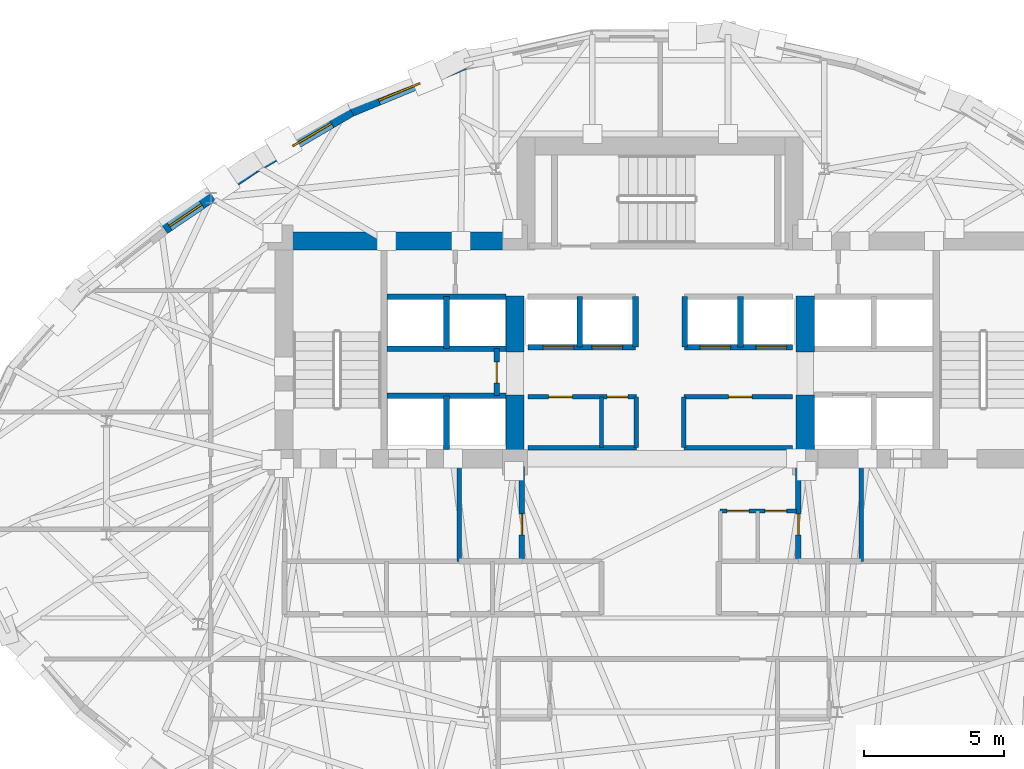
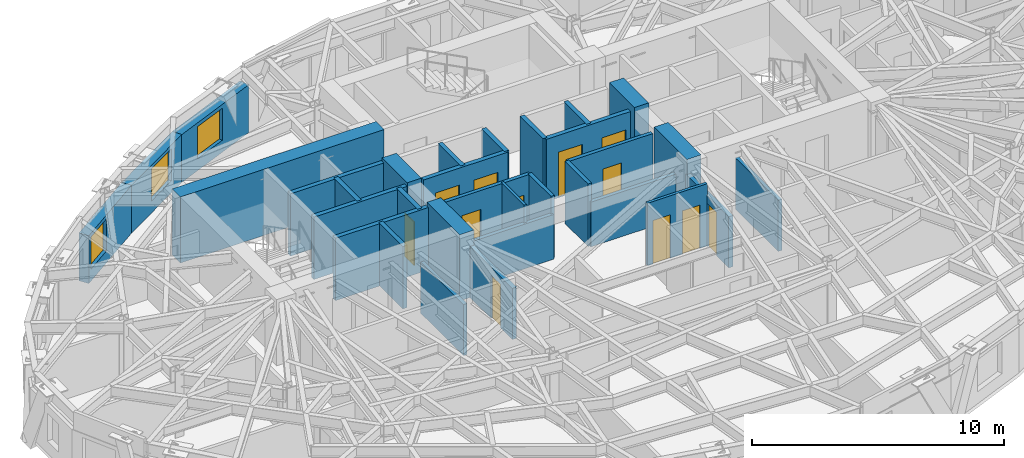
# One storey, part 7 of 14: 32 walls, 12 doors, 3 windows, 15 openings.
"""IFC4 building model written with IfcOpenShell, lengths in metres."""

import ifcopenshell
import ifcopenshell.guid

model = None  # the IFC model being written
_history = None  # IfcOwnerHistory: only IFC2X3 demands one
_inside = {}  # id of a spatial element -> (the spatial element, [elements in it])
_under = {}  # id of a project, library or spatial element -> (it, [spatial elements below it])
_declared = {}  # id of a project -> (the project, [libraries it declares])
_typed = {}  # id of a type object -> (the type object, [elements of that type])
_made_of = {}  # id of a material, layer set ... -> (it, [elements and type objects made of it])


def new_model(schema):
    """Start an empty IFC model of exactly this schema.

    Asked for "IFC4X3", IfcOpenShell would pick the latest addendum, in which some entities
    have other attributes; the version numbers below select the first issue.
    IFC2X3 requires an IfcOwnerHistory on every rooted entity: one is made here for all.
    """
    global model, _history
    if schema == "IFC4X3":
        model = ifcopenshell.file(schema_version=(4, 3, 0, 0))
    else:
        model = ifcopenshell.file(schema=schema)
    _inside.clear()
    _under.clear()
    _declared.clear()
    _typed.clear()
    _made_of.clear()
    _history = None
    if model.schema == "IFC2X3":
        org = make("IfcOrganization", Name="unknown")
        user = make(
            "IfcPersonAndOrganization",
            ThePerson=make("IfcPerson", FamilyName="unknown"),
            TheOrganization=org,
        )
        app = make(
            "IfcApplication",
            ApplicationDeveloper=org,
            Version="unknown",
            ApplicationFullName="unknown",
            ApplicationIdentifier="unknown",
        )
        _history = make(
            "IfcOwnerHistory",
            OwningUser=user,
            OwningApplication=app,
            ChangeAction="ADDED",
            CreationDate=0,
        )
    return model


def make(cls, **values):
    """One entity of the class cls with the attributes given. An attribute that is None is left unset."""
    return model.create_entity(
        cls, **{name: value for name, value in values.items() if value is not None}
    )


def rooted(cls, **values):
    """An entity with a GlobalId (a new one), such as an element, a storey or a relation."""
    return make(cls, GlobalId=ifcopenshell.guid.new(), OwnerHistory=_history, **values)


def si_unit(unit_type, name, prefix=None):
    """IfcSIUnit, for example si_unit("LENGTHUNIT", "METRE", prefix="MILLI")."""
    return make("IfcSIUnit", UnitType=unit_type, Prefix=prefix, Name=name)


def assignment(units):
    """IfcUnitAssignment: the units of a project."""
    return None if units is None else make("IfcUnitAssignment", Units=units)


def point(xyz):
    """IfcCartesianPoint."""
    return None if xyz is None else make("IfcCartesianPoint", Coordinates=xyz)


def direction(xyz):
    """IfcDirection."""
    return None if xyz is None else make("IfcDirection", DirectionRatios=xyz)


def frame(location, z_axis=None, x_axis=None):
    """IfcAxis2Placement3D, a coordinate frame: its origin and axes. An axis left out is left unset."""
    return make(
        "IfcAxis2Placement3D",
        Location=point(location),
        Axis=direction(z_axis),
        RefDirection=direction(x_axis),
    )


def frame_2d(location, x_axis=None):
    """IfcAxis2Placement2D, a coordinate frame in the plane: its origin and x axis."""
    return make(
        "IfcAxis2Placement2D", Location=point(location), RefDirection=direction(x_axis)
    )


def origin():
    """The frame at (0, 0, 0) with its axes left unset."""
    return frame((0.0, 0.0, 0.0))


def place(relative_to, where):
    """IfcLocalPlacement: puts the frame where relative to a parent placement (None: the world)."""
    return make(
        "IfcLocalPlacement", PlacementRelTo=relative_to, RelativePlacement=where
    )


def context(
    kind, dimensions, precision=None, world=None, true_north=None, identifier=None
):
    """IfcGeometricRepresentationContext, for example the 3D "Model" context."""
    return make(
        "IfcGeometricRepresentationContext",
        ContextIdentifier=identifier,
        ContextType=kind,
        CoordinateSpaceDimension=dimensions,
        Precision=precision,
        WorldCoordinateSystem=world,
        TrueNorth=true_north,
    )


def subcontext(parent, identifier, kind, view, scale=None):
    """IfcGeometricRepresentationSubContext, for example "Body" below "Model"."""
    return make(
        "IfcGeometricRepresentationSubContext",
        ContextIdentifier=identifier,
        ContextType=kind,
        ParentContext=parent,
        TargetScale=scale,
        TargetView=view,
    )


def project(units=None, contexts=None):
    """IfcProject with its units and contexts."""
    return rooted(
        "IfcProject",
        Name="project",
        RepresentationContexts=contexts,
        UnitsInContext=assignment(units),
    )


def spatial(cls, under=None, at=None, **own):
    """A site, building, storey or space (cls), placed at a placement, below another one or the project."""
    s = rooted(cls, ObjectPlacement=at, **own)
    if under is not None:
        _under.setdefault(under.id(), (under, []))[1].append(s)
    return s


def profile(cls, at=None, kind="AREA", **sizes):
    """A parametric profile (cls). Its sizes go by their IFC names, for example OverallWidth=200.0."""
    return make(cls, ProfileType=kind, Position=at, **sizes)


def rectangle(**sizes):
    """IfcRectangleProfileDef."""
    return profile("IfcRectangleProfileDef", **sizes)


def extrude(swept, where, along, depth):
    """IfcExtrudedAreaSolid: the profile swept, set in the frame where, extruded along a direction by depth."""
    return make(
        "IfcExtrudedAreaSolid",
        SweptArea=swept,
        Position=where,
        ExtrudedDirection=direction(along),
        Depth=depth,
    )


def shape(context_of_items, identifier, shape_type, items):
    """IfcShapeRepresentation: the items that make up one representation, for example the "Body"."""
    return make(
        "IfcShapeRepresentation",
        ContextOfItems=context_of_items,
        RepresentationIdentifier=identifier,
        RepresentationType=shape_type,
        Items=items,
    )


def material(Name=None, Category=None):
    """IfcMaterial."""
    return make("IfcMaterial", Name=Name, Category=Category)


def layer(
    of_material, thickness, ventilated=None, Name=None, Category=None, Priority=None
):
    """IfcMaterialLayer: one layer of a wall or slab, of a material (None: an air gap)."""
    return make(
        "IfcMaterialLayer",
        Material=of_material,
        LayerThickness=thickness,
        IsVentilated=ventilated,
        Name=Name,
        Category=Category,
        Priority=Priority,
    )


def layer_set(layers, Name=None):
    """IfcMaterialLayerSet."""
    return make("IfcMaterialLayerSet", MaterialLayers=layers, LayerSetName=Name)


def made_of(thing, what):
    """Note that an element or type object is made of a material, layer set ...; save() writes the relation."""
    if what is not None:
        _made_of.setdefault(what.id(), (what, []))[1].append(thing)
    return thing


def type_object(cls, material=None, **own):
    """A type object (cls), such as IfcWallType, which elements share."""
    return made_of(rooted(cls, **own), material)


def element(
    cls,
    number,
    at=None,
    inside=None,
    cuts=None,
    type_object=None,
    material=None,
    context=None,
    identifier="Body",
    shape_type=None,
    held_by="IfcProductDefinitionShape",
    body=None,
    shapes=None,
    **own,
):
    """One element of the class cls, such as IfcWall. Its Tag is "e" and its number.

    at: its placement. inside: the storey or other place that contains it. cuts: it is an
    opening in that element (IfcRelVoidsElement). A single representation is given by context,
    identifier, shape_type and body (its items); several are given by shapes. held_by: the class
    of the entity that holds the representations. save() writes the other relations.
    """
    e = rooted(cls, Tag="e%d" % number, ObjectPlacement=at, **own)
    if body is not None:
        shapes = [shape(context, identifier, shape_type, body)]
    if shapes is not None:
        e.Representation = make(held_by, Representations=shapes)
    if inside is not None:
        _inside.setdefault(inside.id(), (inside, []))[1].append(e)
    if cuts is not None:
        rooted(
            "IfcRelVoidsElement", RelatingBuildingElement=cuts, RelatedOpeningElement=e
        )
    if type_object is not None:
        _typed.setdefault(type_object.id(), (type_object, []))[1].append(e)
    return made_of(e, material)


def fill(opening, filler):
    """IfcRelFillsElement: the door or window that sits in an opening."""
    return rooted(
        "IfcRelFillsElement",
        RelatingOpeningElement=opening,
        RelatedBuildingElement=filler,
    )


def aggregate(whole, parts):
    """IfcRelAggregates: a whole, such as a stair, and the parts it consists of."""
    return rooted("IfcRelAggregates", RelatingObject=whole, RelatedObjects=parts)


def save(model, path):
    """Write the relations noted so far, then the file.

    IfcRelAggregates (storeys below a building ...), IfcRelContainedInSpatialStructure (elements
    in a storey), IfcRelDefinesByType, IfcRelAssociatesMaterial and IfcRelDeclares: one each for
    every whole, place, type object, material and project.
    """
    for whole, parts in _under.values():
        aggregate(whole, parts)
    for where, things in _inside.values():
        rooted(
            "IfcRelContainedInSpatialStructure",
            RelatedElements=things,
            RelatingStructure=where,
        )
    for kind, things in _typed.values():
        rooted("IfcRelDefinesByType", RelatedObjects=things, RelatingType=kind)
    for what, things in _made_of.values():
        rooted("IfcRelAssociatesMaterial", RelatedObjects=things, RelatingMaterial=what)
    for by, libraries in _declared.values():
        rooted("IfcRelDeclares", RelatingContext=by, RelatedDefinitions=libraries)
    model.write(path)


model = new_model("IFC4")

# Units and contexts
model_context = context("Model", 3, precision=1e-05, world=origin(), true_north=direction((0.0, 1.0)))
body_context = subcontext(model_context, "Body", "Model", "MODEL_VIEW")
ifc_project = project(units=[si_unit("LENGTHUNIT", "METRE"), si_unit("AREAUNIT", "SQUARE_METRE"), si_unit("VOLUMEUNIT", "CUBIC_METRE"), si_unit("PLANEANGLEUNIT", "RADIAN"), si_unit("MASSUNIT", "GRAM", prefix="KILO")], contexts=[model_context])

# Site, building, storey
site_placement = place(None, origin())
site = spatial("IfcSite", under=ifc_project, at=site_placement, CompositionType="ELEMENT")
building_placement = place(site_placement, origin())
building = spatial("IfcBuilding", under=site, at=building_placement, Name="Keldmark Tower", CompositionType="ELEMENT")
storey_placement = place(building_placement, frame((0.0, 0.0, 185.39990234375)))
storey = spatial("IfcBuildingStorey", under=building, at=storey_placement, Name="L51", CompositionType="ELEMENT", Elevation=185.39990234375)

# Wall, openings, doors
ifc_material_1 = material(Name="Acoustic Gypsum Board Interior Partition", Category="gypsum")
ifc_layer_1 = layer(ifc_material_1, 0.1298828125)
ifc_layer_set_1 = layer_set([ifc_layer_1], Name="Acoustic Gypsum Board Interior Partition")
wall_type_1 = type_object("IfcWallType", Name="Interior Partition 130 mm", PredefinedType="PARTITIONING", material=ifc_layer_set_1)
wall_1_placement = place(storey_placement, frame((2.14990234375, -0.35009765625, 0.0), z_axis=(0.0, 0.0, 1.0), x_axis=(1.0, 0.0, 0.0)))
wall_1 = element("IfcWall", 1, at=wall_1_placement, inside=storey, type_object=wall_type_1, Name="L51 Interior Partition 130 mm CSC-E-N", PredefinedType="PARTITIONING", context=body_context, shape_type="SweptSolid", body=[
    extrude(rectangle(XDim=2.72998046875, YDim=0.1298828125, at=frame_2d((1.364990234375, 0.0))), origin(), (0.0, 0.0, 1.0), 3.02001953125),
])
opening_1_placement = place(wall_1_placement, frame((0.25, 0.0, 0.0)))
opening_1 = element("IfcOpeningElement", 2, at=opening_1_placement, cuts=wall_1, Name="Opening D-CL078", PredefinedType="OPENING", context=body_context, shape_type="SweptSolid", body=[
    extrude(rectangle(XDim=0.780029296875, YDim=2.10009765625, at=frame_2d((0.39013671875, 1.050048828125))), frame((0.0, 0.074951171875, 0.0), z_axis=(0.0, -1.0, 0.0), x_axis=(1.0, 0.0, 0.0)), (0.0, 0.0, 1.0), 0.14990234375),
])
opening_2_placement = place(wall_1_placement, frame((1.60009765625, 0.0, 0.0)))
opening_2 = element("IfcOpeningElement", 3, at=opening_2_placement, cuts=wall_1, Name="Opening D-CL078", PredefinedType="OPENING", context=body_context, shape_type="SweptSolid", body=[
    extrude(rectangle(XDim=0.780029296875, YDim=2.10009765625, at=frame_2d((0.39013671875, 1.050048828125))), frame((0.0, 0.074951171875, 0.0), z_axis=(0.0, -1.0, 0.0), x_axis=(1.0, 0.0, 0.0)), (0.0, 0.0, 1.0), 0.14990234375),
])
ifc_material_2 = material(Name="Flush Utility Closet Timber Door", Category="wood")
door_type_1 = type_object("IfcDoorType", Name="Closet Door 780x2100", OperationType="NOTDEFINED", PredefinedType="DOOR", material=ifc_material_2)
door_1_placement = place(opening_1_placement, origin())
door_1 = element("IfcDoor", 4, at=door_1_placement, inside=storey, type_object=door_type_1, Name="L51 Closet Door 780x2100 D-CSCE1-L51", OperationType="SINGLE_SWING_LEFT", OverallHeight=2.10009765625, OverallWidth=0.780029296875, PredefinedType="DOOR", context=body_context, shape_type="SweptSolid", body=[
    extrude(rectangle(XDim=0.780029296875, YDim=2.10009765625, at=frame_2d((0.39013671875, 1.050048828125))), frame((0.0, 0.02490234375, 0.0), z_axis=(0.0, -1.0, 0.0), x_axis=(1.0, 0.0, 0.0)), (0.0, 0.0, 1.0), 0.050048828125),
])
fill(opening_1, door_1)
door_2_placement = place(opening_2_placement, origin())
door_2 = element("IfcDoor", 5, at=door_2_placement, inside=storey, type_object=door_type_1, Name="L51 Closet Door 780x2100 D-CSCE2-L51", OperationType="SINGLE_SWING_RIGHT", OverallHeight=2.10009765625, OverallWidth=0.780029296875, PredefinedType="DOOR", context=body_context, shape_type="SweptSolid", body=[
    extrude(rectangle(XDim=0.780029296875, YDim=2.10009765625, at=frame_2d((0.39013671875, 1.050048828125))), frame((0.0, 0.02490234375, 0.0), z_axis=(0.0, -1.0, 0.0), x_axis=(1.0, 0.0, 0.0)), (0.0, 0.0, 1.0), 0.050048828125),
])
fill(opening_2, door_2)

# Walls
wall_2_placement = place(storey_placement, frame((-2.10009765625, 1.919921875, 0.0), z_axis=(0.0, 0.0, 1.0), x_axis=(0.0, 1.0, 0.0)))
element("IfcWall", 6, at=wall_2_placement, inside=storey, type_object=wall_type_1, Name="L51 Interior Partition 130 mm REC-LW-M", PredefinedType="PARTITIONING", context=body_context, shape_type="SweptSolid", body=[
    extrude(rectangle(XDim=1.820068359375, YDim=0.1298828125, at=frame_2d((0.91015625, 0.0))), origin(), (0.0, 0.0, 1.0), 3.02001953125),
])
ifc_material_3 = material(Name="Type X Fire-Rated Gypsum Partition Assembly", Category="gypsum")
ifc_layer_2 = layer(ifc_material_3, 0.1650390625)
ifc_layer_set_2 = layer_set([ifc_layer_2], Name="Type X Fire-Rated Gypsum Partition Assembly")
wall_type_2 = type_object("IfcWallType", Name="Rated Partition 165 mm", PredefinedType="PARTITIONING", material=ifc_layer_set_2)
for number, where, z_axis, x_axis, name in (
    (7, (-7.199951171875, -2.14990234375, 0.0), (0.0, 0.0, 1.0), (0.0, 1.0, 0.0), "L51 Rated Partition 165 mm FSAE-W-E"),
    (8, (7.199951171875, -2.14990234375, 0.0), (0.0, 0.0, 1.0), (0.0, 1.0, 0.0), "L51 Rated Partition 165 mm FSAE-E-W"),
):
    element("IfcWall", number, at=place(storey_placement, frame(where, z_axis=z_axis, x_axis=x_axis)), inside=storey, type_object=wall_type_2, Name=name, PredefinedType="PARTITIONING", context=body_context, shape_type="SweptSolid", body=[
        extrude(rectangle(XDim=3.39990234375, YDim=0.1650390625, at=frame_2d((1.699951171875, 0.0))), origin(), (0.0, 0.0, 1.0), 2.47314453125),
    ])
wall_3_placement = place(storey_placement, frame((-4.739990234375, 1.919921875, 0.0), z_axis=(0.0, 0.0, 1.0), x_axis=(1.0, 0.0, 0.0)))
element("IfcWall", 9, at=wall_3_placement, inside=storey, type_object=wall_type_2, Name="L51 Rated Partition 165 mm REC-LW-S", PredefinedType="PARTITIONING", context=body_context, shape_type="SweptSolid", body=[
    extrude(rectangle(XDim=3.889892578125, YDim=0.1650390625, at=frame_2d((1.94482421875, 0.0))), origin(), (0.0, 0.0, 1.0), 2.16015625),
])

# Wall, openings, doors
wall_4_placement = place(storey_placement, frame((-4.739990234375, 3.739990234375, 0.0), z_axis=(0.0, 0.0, 1.0), x_axis=(1.0, 0.0, 0.0)))
wall_4 = element("IfcWall", 10, at=wall_4_placement, inside=storey, type_object=wall_type_2, Name="L51 Rated Partition 165 mm REC-LW-N", PredefinedType="PARTITIONING", context=body_context, shape_type="SweptSolid", body=[
    extrude(rectangle(XDim=3.889892578125, YDim=0.1650390625, at=frame_2d((1.94482421875, 0.0))), origin(), (0.0, 0.0, 1.0), 3.02001953125),
])
opening_3_placement = place(wall_4_placement, frame((0.75, 0.0, 0.0)))
opening_3 = element("IfcOpeningElement", 11, at=opening_3_placement, cuts=wall_4, Name="Opening D-SV085", PredefinedType="OPENING", context=body_context, shape_type="SweptSolid", body=[
    extrude(rectangle(XDim=0.85009765625, YDim=2.10009765625, at=frame_2d((0.425048828125, 1.050048828125))), frame((0.0, 0.092529296875, 0.0), z_axis=(0.0, -1.0, 0.0), x_axis=(1.0, 0.0, 0.0)), (0.0, 0.0, 1.0), 0.18505859375),
])
opening_4_placement = place(wall_4_placement, frame((2.840087890625, 0.0, 0.0)))
opening_4 = element("IfcOpeningElement", 12, at=opening_4_placement, cuts=wall_4, Name="Opening D-RS075", PredefinedType="OPENING", context=body_context, shape_type="SweptSolid", body=[
    extrude(rectangle(XDim=0.75, YDim=2.10009765625, at=frame_2d((0.375, 1.050048828125))), frame((0.0, 0.092529296875, 0.0), z_axis=(0.0, -1.0, 0.0), x_axis=(1.0, 0.0, 0.0)), (0.0, 0.0, 1.0), 0.18505859375),
])
ifc_material_4 = material(Name="Galvanized Fire-Rated Access Leaf", Category="metal")
door_type_2 = type_object("IfcDoorType", Name="Riser Access Door 750x2100", OperationType="NOTDEFINED", PredefinedType="DOOR", material=ifc_material_4)
door_3_placement = place(opening_4_placement, origin())
door_3 = element("IfcDoor", 13, at=door_3_placement, inside=storey, type_object=door_type_2, Name="L51 Riser Access Door 750x2100 D-RECLW2-L51", OperationType="SINGLE_SWING_RIGHT", OverallHeight=2.10009765625, OverallWidth=0.75, PredefinedType="DOOR", context=body_context, shape_type="SweptSolid", body=[
    extrude(rectangle(XDim=0.75, YDim=2.10009765625, at=frame_2d((0.375, 1.050048828125))), frame((0.0, 0.02490234375, 0.0), z_axis=(0.0, -1.0, 0.0), x_axis=(1.0, 0.0, 0.0)), (0.0, 0.0, 1.0), 0.050048828125),
])
fill(opening_4, door_3)
ifc_material_5 = material(Name="Painted Hollow Metal Door Assembly", Category="metal")
door_type_3 = type_object("IfcDoorType", Name="Service Door 850x2100", OperationType="NOTDEFINED", PredefinedType="DOOR", material=ifc_material_5)
door_4_placement = place(opening_3_placement, origin())
door_4 = element("IfcDoor", 14, at=door_4_placement, inside=storey, type_object=door_type_3, Name="L51 Service Door 850x2100 D-RECLW1-L51", OperationType="SINGLE_SWING_LEFT", OverallHeight=2.10009765625, OverallWidth=0.85009765625, PredefinedType="DOOR", context=body_context, shape_type="SweptSolid", body=[
    extrude(rectangle(XDim=0.85009765625, YDim=2.10009765625, at=frame_2d((0.425048828125, 1.050048828125))), frame((0.0, 0.02490234375, 0.0), z_axis=(0.0, -1.0, 0.0), x_axis=(1.0, 0.0, 0.0)), (0.0, 0.0, 1.0), 0.050048828125),
])
fill(opening_3, door_4)

# Walls
wall_5_placement = place(storey_placement, frame((-0.85009765625, 1.919921875, 0.0), z_axis=(0.0, 0.0, 1.0), x_axis=(0.0, 1.0, 0.0)))
element("IfcWall", 15, at=wall_5_placement, inside=storey, type_object=wall_type_2, Name="L51 Rated Partition 165 mm REC-LW-E", PredefinedType="PARTITIONING", context=body_context, shape_type="SweptSolid", body=[
    extrude(rectangle(XDim=1.820068359375, YDim=0.1650390625, at=frame_2d((0.91015625, 0.0))), origin(), (0.0, 0.0, 1.0), 3.02001953125),
])
wall_6_placement = place(storey_placement, frame((0.85009765625, 1.919921875, 0.0), z_axis=(0.0, 0.0, 1.0), x_axis=(1.0, 0.0, 0.0)))
element("IfcWall", 16, at=wall_6_placement, inside=storey, type_object=wall_type_2, Name="L51 Rated Partition 165 mm REC-LE-S", PredefinedType="PARTITIONING", context=body_context, shape_type="SweptSolid", body=[
    extrude(rectangle(XDim=3.889892578125, YDim=0.1650390625, at=frame_2d((1.94482421875, 0.0))), origin(), (0.0, 0.0, 1.0), 2.16015625),
])

# Wall, opening, door
wall_7_placement = place(storey_placement, frame((0.85009765625, 3.739990234375, 0.0), z_axis=(0.0, 0.0, 1.0), x_axis=(1.0, 0.0, 0.0)))
wall_7 = element("IfcWall", 17, at=wall_7_placement, inside=storey, type_object=wall_type_2, Name="L51 Rated Partition 165 mm REC-LE-N", PredefinedType="PARTITIONING", context=body_context, shape_type="SweptSolid", body=[
    extrude(rectangle(XDim=3.889892578125, YDim=0.1650390625, at=frame_2d((1.94482421875, 0.0))), origin(), (0.0, 0.0, 1.0), 3.02001953125),
])
opening_5_placement = place(wall_7_placement, frame((1.60009765625, 0.0, 0.0)))
opening_5 = element("IfcOpeningElement", 18, at=opening_5_placement, cuts=wall_7, Name="Opening D-SV085", PredefinedType="OPENING", context=body_context, shape_type="SweptSolid", body=[
    extrude(rectangle(XDim=0.85009765625, YDim=2.10009765625, at=frame_2d((0.425048828125, 1.050048828125))), frame((0.0, 0.092529296875, 0.0), z_axis=(0.0, -1.0, 0.0), x_axis=(1.0, 0.0, 0.0)), (0.0, 0.0, 1.0), 0.18505859375),
])
door_5_placement = place(opening_5_placement, origin())
door_5 = element("IfcDoor", 19, at=door_5_placement, inside=storey, type_object=door_type_3, Name="L51 Service Door 850x2100 D-RECLE1-L51", OperationType="SINGLE_SWING_LEFT", OverallHeight=2.10009765625, OverallWidth=0.85009765625, PredefinedType="DOOR", context=body_context, shape_type="SweptSolid", body=[
    extrude(rectangle(XDim=0.85009765625, YDim=2.10009765625, at=frame_2d((0.425048828125, 1.050048828125))), frame((0.0, 0.02490234375, 0.0), z_axis=(0.0, -1.0, 0.0), x_axis=(1.0, 0.0, 0.0)), (0.0, 0.0, 1.0), 0.050048828125),
])
fill(opening_5, door_5)

# Wall
wall_8_placement = place(storey_placement, frame((0.85009765625, 1.919921875, 0.0), z_axis=(0.0, 0.0, 1.0), x_axis=(0.0, 1.0, 0.0)))
element("IfcWall", 20, at=wall_8_placement, inside=storey, type_object=wall_type_2, Name="L51 Rated Partition 165 mm REC-LE-W", PredefinedType="PARTITIONING", context=body_context, shape_type="SweptSolid", body=[
    extrude(rectangle(XDim=1.820068359375, YDim=0.1650390625, at=frame_2d((0.91015625, 0.0))), origin(), (0.0, 0.0, 1.0), 3.02001953125),
])

# Wall, opening, door
ifc_material_6 = material(Name="Fire-Resistant Type X Gypsum Shaftliner Coreboard", Category="gypsum")
ifc_layer_3 = layer(ifc_material_6, 0.199951171875)
ifc_layer_set_3 = layer_set([ifc_layer_3], Name="Fire-Resistant Type X Gypsum Shaftliner Coreboard")
wall_type_3 = type_object("IfcWallType", Name="Shaft Wall 200 mm", PredefinedType="SOLIDWALL", material=ifc_layer_set_3)
wall_9_placement = place(storey_placement, frame((-4.949951171875, -2.14990234375, 0.0), z_axis=(0.0, 0.0, 1.0), x_axis=(0.0, 1.0, 0.0)))
wall_9 = element("IfcWall", 21, at=wall_9_placement, inside=storey, type_object=wall_type_3, Name="L51 Shaft Wall 200 mm RIS-SW-E", PredefinedType="SOLIDWALL", context=body_context, shape_type="SweptSolid", body=[
    extrude(rectangle(XDim=3.39990234375, YDim=0.199951171875, at=frame_2d((1.699951171875, 0.0))), origin(), (0.0, 0.0, 1.0), 2.47314453125),
])
opening_6_placement = place(wall_9_placement, frame((0.949951171875, 0.0, 0.0)))
opening_6 = element("IfcOpeningElement", 22, at=opening_6_placement, cuts=wall_9, Name="Opening D-RS075", PredefinedType="OPENING", context=body_context, shape_type="SweptSolid", body=[
    extrude(rectangle(XDim=0.75, YDim=2.10009765625, at=frame_2d((0.375, 1.050048828125))), frame((0.0, 0.10986328125, 0.0), z_axis=(0.0, -1.0, 0.0), x_axis=(1.0, 0.0, 0.0)), (0.0, 0.0, 1.0), 0.219970703125),
])
door_6_placement = place(opening_6_placement, origin())
door_6 = element("IfcDoor", 23, at=door_6_placement, inside=storey, type_object=door_type_2, Name="L51 Riser Access Door 750x2100 D-RISSW-L51", OperationType="SINGLE_SWING_RIGHT", OverallHeight=2.10009765625, OverallWidth=0.75, PredefinedType="DOOR", context=body_context, shape_type="SweptSolid", body=[
    extrude(rectangle(XDim=0.75, YDim=2.10009765625, at=frame_2d((0.375, 1.050048828125))), frame((0.0, 0.02490234375, 0.0), z_axis=(0.0, -1.0, 0.0), x_axis=(1.0, 0.0, 0.0)), (0.0, 0.0, 1.0), 0.050048828125),
])
fill(opening_6, door_6)

wall_10_placement = place(storey_placement, frame((4.949951171875, -2.14990234375, 0.0), z_axis=(0.0, 0.0, 1.0), x_axis=(0.0, 1.0, 0.0)))
wall_10 = element("IfcWall", 24, at=wall_10_placement, inside=storey, type_object=wall_type_3, Name="L51 Shaft Wall 200 mm RIS-SE-W", PredefinedType="SOLIDWALL", context=body_context, shape_type="SweptSolid", body=[
    extrude(rectangle(XDim=3.39990234375, YDim=0.199951171875, at=frame_2d((1.699951171875, 0.0))), origin(), (0.0, 0.0, 1.0), 2.47314453125),
])
opening_7_placement = place(wall_10_placement, frame((0.949951171875, 0.0, 0.0)))
opening_7 = element("IfcOpeningElement", 25, at=opening_7_placement, cuts=wall_10, Name="Opening D-RS075", PredefinedType="OPENING", context=body_context, shape_type="SweptSolid", body=[
    extrude(rectangle(XDim=0.75, YDim=2.10009765625, at=frame_2d((0.375, 1.050048828125))), frame((0.0, 0.10986328125, 0.0), z_axis=(0.0, -1.0, 0.0), x_axis=(1.0, 0.0, 0.0)), (0.0, 0.0, 1.0), 0.219970703125),
])
door_7_placement = place(opening_7_placement, origin())
door_7 = element("IfcDoor", 26, at=door_7_placement, inside=storey, type_object=door_type_2, Name="L51 Riser Access Door 750x2100 D-RISSE-L51", OperationType="SINGLE_SWING_LEFT", OverallHeight=2.10009765625, OverallWidth=0.75, PredefinedType="DOOR", context=body_context, shape_type="SweptSolid", body=[
    extrude(rectangle(XDim=0.75, YDim=2.10009765625, at=frame_2d((0.375, 1.050048828125))), frame((0.0, 0.02490234375, 0.0), z_axis=(0.0, -1.0, 0.0), x_axis=(1.0, 0.0, 0.0)), (0.0, 0.0, 1.0), 0.050048828125),
])
fill(opening_7, door_7)

# Walls
wall_11_placement = place(storey_placement, frame((-9.780029296875, 3.780029296875, 0.0), z_axis=(0.0, 0.0, 1.0), x_axis=(1.0, 0.0, 0.0)))
element("IfcWall", 27, at=wall_11_placement, inside=storey, type_object=wall_type_3, Name="L51 Shaft Wall 200 mm HW-W-S", PredefinedType="SOLIDWALL", context=body_context, shape_type="SweptSolid", body=[
    extrude(rectangle(XDim=4.255126953125, YDim=0.199951171875, at=frame_2d((2.12744140625, 0.0))), origin(), (0.0, 0.0, 1.0), 3.02001953125),
])
wall_12_placement = place(storey_placement, frame((-7.64990234375, 1.85009765625, 0.0), z_axis=(0.0, 0.0, 1.0), x_axis=(0.0, 1.0, 0.0)))
element("IfcWall", 28, at=wall_12_placement, inside=storey, type_object=wall_type_3, Name="L51 Shaft Wall 200 mm HW-W-M", PredefinedType="SOLIDWALL", context=body_context, shape_type="SweptSolid", body=[
    extrude(rectangle(XDim=1.929931640625, YDim=0.199951171875, at=frame_2d((0.96484375, 0.0))), origin(), (0.0, 0.0, 1.0), 3.02001953125),
])
for number, where, z_axis, x_axis, name in (
    (29, (-9.780029296875, 5.469970703125, 0.0), (0.0, 0.0, 1.0), (1.0, 0.0, 0.0), "L51 Shaft Wall 200 mm HW-W-N"),
    (30, (-9.780029296875, 7.330078125, 0.0), (0.0, 0.0, 1.0), (1.0, 0.0, 0.0), "L51 Shaft Wall 200 mm HW-W-TOP"),
):
    element("IfcWall", number, at=place(storey_placement, frame(where, z_axis=z_axis, x_axis=x_axis)), inside=storey, type_object=wall_type_3, Name=name, PredefinedType="SOLIDWALL", context=body_context, shape_type="SweptSolid", body=[
        extrude(rectangle(XDim=4.255126953125, YDim=0.199951171875, at=frame_2d((2.12744140625, 0.0))), origin(), (0.0, 0.0, 1.0), 3.02001953125),
    ])
wall_13_placement = place(storey_placement, frame((-7.64990234375, 5.469970703125, 0.0), z_axis=(0.0, 0.0, 1.0), x_axis=(0.0, 1.0, 0.0)))
element("IfcWall", 31, at=wall_13_placement, inside=storey, type_object=wall_type_3, Name="L51 Shaft Wall 200 mm HW-W-NM", PredefinedType="SOLIDWALL", context=body_context, shape_type="SweptSolid", body=[
    extrude(rectangle(XDim=1.860107421875, YDim=0.199951171875, at=frame_2d((0.93017578125, 0.0))), origin(), (0.0, 0.0, 1.0), 3.02001953125),
])

# Wall, opening, door
wall_14_placement = place(storey_placement, frame((-5.85009765625, 3.780029296875, 0.0), z_axis=(0.0, 0.0, 1.0), x_axis=(0.0, 1.0, 0.0)))
wall_14 = element("IfcWall", 32, at=wall_14_placement, inside=storey, type_object=wall_type_3, Name="L51 Shaft Wall 200 mm HW-W-CLOSE", PredefinedType="SOLIDWALL", context=body_context, shape_type="SweptSolid", body=[
    extrude(rectangle(XDim=1.68994140625, YDim=0.199951171875, at=frame_2d((0.844970703125, 0.0))), origin(), (0.0, 0.0, 1.0), 3.02001953125),
])
opening_8_placement = place(wall_14_placement, frame((0.449951171875, 0.0, 0.0)))
opening_8 = element("IfcOpeningElement", 33, at=opening_8_placement, cuts=wall_14, Name="Opening D-RS075", PredefinedType="OPENING", context=body_context, shape_type="SweptSolid", body=[
    extrude(rectangle(XDim=0.75, YDim=2.10009765625, at=frame_2d((0.375, 1.050048828125))), frame((0.0, 0.10986328125, 0.0), z_axis=(0.0, -1.0, 0.0), x_axis=(1.0, 0.0, 0.0)), (0.0, 0.0, 1.0), 0.219970703125),
])
door_8_placement = place(opening_8_placement, origin())
door_8 = element("IfcDoor", 34, at=door_8_placement, inside=storey, type_object=door_type_2, Name="L51 Riser Access Door 750x2100 D-RISHW-L51", OperationType="SINGLE_SWING_RIGHT", OverallHeight=2.10009765625, OverallWidth=0.75, PredefinedType="DOOR", context=body_context, shape_type="SweptSolid", body=[
    extrude(rectangle(XDim=0.75, YDim=2.10009765625, at=frame_2d((0.375, 1.050048828125))), frame((0.0, 0.02490234375, 0.0), z_axis=(0.0, -1.0, 0.0), x_axis=(1.0, 0.0, 0.0)), (0.0, 0.0, 1.0), 0.050048828125),
])
fill(opening_8, door_8)

# Wall, openings, doors
wall_15_placement = place(storey_placement, frame((-4.739990234375, 5.52001953125, 0.0), z_axis=(0.0, 0.0, 1.0), x_axis=(1.0, 0.0, 0.0)))
wall_15 = element("IfcWall", 35, at=wall_15_placement, inside=storey, type_object=wall_type_3, Name="L51 Shaft Wall 200 mm MID-S-W", PredefinedType="SOLIDWALL", context=body_context, shape_type="SweptSolid", body=[
    extrude(rectangle(XDim=3.860107421875, YDim=0.199951171875, at=frame_2d((1.93017578125, 0.0))), origin(), (0.0, 0.0, 1.0), 3.02001953125),
])
opening_9_placement = place(wall_15_placement, frame((0.550048828125, 0.0, 0.0)))
opening_9 = element("IfcOpeningElement", 36, at=opening_9_placement, cuts=wall_15, Name="Opening LD-110", PredefinedType="OPENING", context=body_context, shape_type="SweptSolid", body=[
    extrude(rectangle(XDim=1.10009765625, YDim=2.199951171875, at=frame_2d((0.550048828125, 1.10009765625))), frame((0.0, 0.10986328125, 0.0), z_axis=(0.0, -1.0, 0.0), x_axis=(1.0, 0.0, 0.0)), (0.0, 0.0, 1.0), 0.219970703125),
])
opening_10_placement = place(wall_15_placement, frame((2.300048828125, 0.0, 0.0)))
opening_10 = element("IfcOpeningElement", 37, at=opening_10_placement, cuts=wall_15, Name="Opening LD-110", PredefinedType="OPENING", context=body_context, shape_type="SweptSolid", body=[
    extrude(rectangle(XDim=1.10009765625, YDim=2.199951171875, at=frame_2d((0.550048828125, 1.10009765625))), frame((0.0, 0.10986328125, 0.0), z_axis=(0.0, -1.0, 0.0), x_axis=(1.0, 0.0, 0.0)), (0.0, 0.0, 1.0), 0.219970703125),
])
ifc_material_7 = material(Name="Brushed Bronze Hoistway Sliding Leaf", Category="metal")
door_type_4 = type_object("IfcDoorType", Name="Lift Landing Sliding Door 1100x2200", OperationType="SLIDING_TO_LEFT", PredefinedType="DOOR", material=ifc_material_7)
door_9_placement = place(opening_9_placement, origin())
door_9 = element("IfcDoor", 38, at=door_9_placement, inside=storey, type_object=door_type_4, Name="L51 Lift Landing Sliding Door 1100x2200 LD-EL-M1-L51", OperationType="SLIDING_TO_LEFT", OverallHeight=2.199951171875, OverallWidth=1.10009765625, PredefinedType="DOOR", context=body_context, shape_type="SweptSolid", body=[
    extrude(rectangle(XDim=1.10009765625, YDim=2.199951171875, at=frame_2d((0.550048828125, 1.10009765625))), frame((0.0, 0.02490234375, 0.0), z_axis=(0.0, -1.0, 0.0), x_axis=(1.0, 0.0, 0.0)), (0.0, 0.0, 1.0), 0.050048828125),
])
fill(opening_9, door_9)
door_10_placement = place(opening_10_placement, origin())
door_10 = element("IfcDoor", 39, at=door_10_placement, inside=storey, type_object=door_type_4, Name="L51 Lift Landing Sliding Door 1100x2200 LD-EL-M2-L51", OperationType="SLIDING_TO_LEFT", OverallHeight=2.199951171875, OverallWidth=1.10009765625, PredefinedType="DOOR", context=body_context, shape_type="SweptSolid", body=[
    extrude(rectangle(XDim=1.10009765625, YDim=2.199951171875, at=frame_2d((0.550048828125, 1.10009765625))), frame((0.0, 0.02490234375, 0.0), z_axis=(0.0, -1.0, 0.0), x_axis=(1.0, 0.0, 0.0)), (0.0, 0.0, 1.0), 0.050048828125),
])
fill(opening_10, door_10)

wall_16_placement = place(storey_placement, frame((0.8798828125, 5.52001953125, 0.0), z_axis=(0.0, 0.0, 1.0), x_axis=(1.0, 0.0, 0.0)))
wall_16 = element("IfcWall", 40, at=wall_16_placement, inside=storey, type_object=wall_type_3, Name="L51 Shaft Wall 200 mm MID-S-E", PredefinedType="SOLIDWALL", context=body_context, shape_type="SweptSolid", body=[
    extrude(rectangle(XDim=3.860107421875, YDim=0.199951171875, at=frame_2d((1.93017578125, 0.0))), origin(), (0.0, 0.0, 1.0), 3.02001953125),
])
opening_11_placement = place(wall_16_placement, frame((0.550048828125, 0.0, 0.0)))
opening_11 = element("IfcOpeningElement", 41, at=opening_11_placement, cuts=wall_16, Name="Opening LD-110", PredefinedType="OPENING", context=body_context, shape_type="SweptSolid", body=[
    extrude(rectangle(XDim=1.10009765625, YDim=2.199951171875, at=frame_2d((0.550048828125, 1.10009765625))), frame((0.0, 0.10986328125, 0.0), z_axis=(0.0, -1.0, 0.0), x_axis=(1.0, 0.0, 0.0)), (0.0, 0.0, 1.0), 0.219970703125),
])
opening_12_placement = place(wall_16_placement, frame((2.550048828125, 0.0, 0.0)))
opening_12 = element("IfcOpeningElement", 42, at=opening_12_placement, cuts=wall_16, Name="Opening LD-110", PredefinedType="OPENING", context=body_context, shape_type="SweptSolid", body=[
    extrude(rectangle(XDim=1.10009765625, YDim=2.199951171875, at=frame_2d((0.550048828125, 1.10009765625))), frame((0.0, 0.10986328125, 0.0), z_axis=(0.0, -1.0, 0.0), x_axis=(1.0, 0.0, 0.0)), (0.0, 0.0, 1.0), 0.219970703125),
])
door_11_placement = place(opening_11_placement, origin())
door_11 = element("IfcDoor", 43, at=door_11_placement, inside=storey, type_object=door_type_4, Name="L51 Lift Landing Sliding Door 1100x2200 LD-EL-M3-L51", OperationType="SLIDING_TO_LEFT", OverallHeight=2.199951171875, OverallWidth=1.10009765625, PredefinedType="DOOR", context=body_context, shape_type="SweptSolid", body=[
    extrude(rectangle(XDim=1.10009765625, YDim=2.199951171875, at=frame_2d((0.550048828125, 1.10009765625))), frame((0.0, 0.02490234375, 0.0), z_axis=(0.0, -1.0, 0.0), x_axis=(1.0, 0.0, 0.0)), (0.0, 0.0, 1.0), 0.050048828125),
])
fill(opening_11, door_11)
door_12_placement = place(opening_12_placement, origin())
door_12 = element("IfcDoor", 44, at=door_12_placement, inside=storey, type_object=door_type_4, Name="L51 Lift Landing Sliding Door 1100x2200 LD-EL-M4-L51", OperationType="SLIDING_TO_LEFT", OverallHeight=2.199951171875, OverallWidth=1.10009765625, PredefinedType="DOOR", context=body_context, shape_type="SweptSolid", body=[
    extrude(rectangle(XDim=1.10009765625, YDim=2.199951171875, at=frame_2d((0.550048828125, 1.10009765625))), frame((0.0, 0.02490234375, 0.0), z_axis=(0.0, -1.0, 0.0), x_axis=(1.0, 0.0, 0.0)), (0.0, 0.0, 1.0), 0.050048828125),
])
fill(opening_12, door_12)

# Walls
for number, where, z_axis, x_axis, name in (
    (45, (-2.8798828125, 5.52001953125, 0.0), (0.0, 0.0, 1.0), (0.0, 1.0, 0.0), "L51 Shaft Wall 200 mm MID-M-W"),
    (46, (2.8798828125, 5.52001953125, 0.0), (0.0, 0.0, 1.0), (0.0, 1.0, 0.0), "L51 Shaft Wall 200 mm MID-M-E"),
    (47, (-0.8798828125, 5.52001953125, 0.0), (0.0, 0.0, 1.0), (0.0, 1.0, 0.0), "L51 Shaft Wall 200 mm MID-C-W"),
    (48, (0.8798828125, 5.52001953125, 0.0), (0.0, 0.0, 1.0), (0.0, 1.0, 0.0), "L51 Shaft Wall 200 mm MID-C-E"),
):
    element("IfcWall", number, at=place(storey_placement, frame(where, z_axis=z_axis, x_axis=x_axis)), inside=storey, type_object=wall_type_3, Name=name, PredefinedType="SOLIDWALL", context=body_context, shape_type="SweptSolid", body=[
        extrude(rectangle(XDim=1.81005859375, YDim=0.199951171875, at=frame_2d((0.905029296875, 0.0))), origin(), (0.0, 0.0, 1.0), 3.02001953125),
    ])

# Wall, opening, window
ifc_material_8 = material(Name="Ironspot Manganese Brick and Kasota Buff Limestone Spandrel Assembly", Category="masonry")
ifc_layer_4 = layer(ifc_material_8, 0.43994140625)
ifc_layer_set_4 = layer_set([ifc_layer_4], Name="Ironspot Manganese Brick and Kasota Buff Limestone Spandrel Assembly")
wall_type_4 = type_object("IfcWallType", Name="Tower Brick Pier and Spandrel Wall 440 mm", PredefinedType="STANDARD", material=ifc_layer_set_4)
wall_17_placement = place(storey_placement, frame((-11.099609375, 13.98095703125, 0.0), z_axis=(0.0, 0.0, 1.0), x_axis=(0.924224109839, 0.381850487486, 0.0)))
wall_17 = element("IfcWall", 49, at=wall_17_placement, inside=storey, type_object=wall_type_4, Name="L51 Exterior Brick and Spandrel Wall 10", PredefinedType="STANDARD", context=body_context, shape_type="SweptSolid", body=[
    extrude(rectangle(XDim=4.416748046875, YDim=0.43994140625, at=frame_2d((2.20849609375, 0.0))), origin(), (0.0, 0.0, 1.0), 2.315185546875),
])
opening_13_placement = place(wall_17_placement, frame((1.087646484375, 0.0, 0.580078125)))
opening_13 = element("IfcOpeningElement", 50, at=opening_13_placement, cuts=wall_17, Name="Opening W-04", PredefinedType="OPENING", context=body_context, shape_type="SweptSolid", body=[
    extrude(rectangle(XDim=1.60009765625, YDim=1.550048828125, at=frame_2d((0.800048828125, 0.77490234375))), frame((0.0, 0.22998046875, 0.0), z_axis=(0.0, -1.0, 0.0), x_axis=(1.0, 0.0, 0.0)), (0.0, 0.0, 1.0), 0.4599609375),
])
ifc_material_9 = material(Name="Thermally Broken Anodized Aluminum and Triple Low-E Argon Glazing", Category="aluminium")
window_type_1 = type_object("IfcWindowType", Name="Hotel Deep-Set Operable Window 1600x1550", PartitioningType="DOUBLE_PANEL_HORIZONTAL", PredefinedType="WINDOW", material=ifc_material_9)
window_1_placement = place(opening_13_placement, origin())
window_1 = element("IfcWindow", 51, at=window_1_placement, inside=storey, type_object=window_type_1, Name="L51 Deep-Set Window 10", OverallHeight=1.550048828125, OverallWidth=1.60009765625, PartitioningType="SINGLE_PANEL", PredefinedType="WINDOW", context=body_context, shape_type="SweptSolid", body=[
    extrude(rectangle(XDim=1.60009765625, YDim=1.550048828125, at=frame_2d((0.800048828125, 0.77490234375))), frame((0.0, -0.010009765625, 0.0), z_axis=(0.0, -1.0, 0.0), x_axis=(1.0, 0.0, 0.0)), (0.0, 0.0, 1.0), 0.06005859375),
])
fill(opening_13, window_1)

wall_18_placement = place(storey_placement, frame((-14.571533203125, 11.939208984375, 0.0), z_axis=(0.0, 0.0, 1.0), x_axis=(0.862269598443, 0.506449542995, 0.0)))
wall_18 = element("IfcWall", 52, at=wall_18_placement, inside=storey, type_object=wall_type_4, Name="L51 Exterior Brick and Spandrel Wall 11", PredefinedType="STANDARD", context=body_context, shape_type="SweptSolid", body=[
    extrude(rectangle(XDim=4.05859375, YDim=0.43994140625, at=frame_2d((2.029296875, 0.0))), origin(), (0.0, 0.0, 1.0), 2.315185546875),
])
opening_14_placement = place(wall_18_placement, frame((1.621337890625, 0.0, 0.580078125)))
opening_14 = element("IfcOpeningElement", 53, at=opening_14_placement, cuts=wall_18, Name="Opening W-04", PredefinedType="OPENING", context=body_context, shape_type="SweptSolid", body=[
    extrude(rectangle(XDim=1.60009765625, YDim=1.550048828125, at=frame_2d((0.800048828125, 0.77490234375))), frame((0.0, 0.22998046875, 0.0), z_axis=(0.0, -1.0, 0.0), x_axis=(1.0, 0.0, 0.0)), (0.0, 0.0, 1.0), 0.4599609375),
])
window_2_placement = place(opening_14_placement, origin())
window_2 = element("IfcWindow", 54, at=window_2_placement, inside=storey, type_object=window_type_1, Name="L51 Deep-Set Window 11", OverallHeight=1.550048828125, OverallWidth=1.60009765625, PartitioningType="SINGLE_PANEL", PredefinedType="WINDOW", context=body_context, shape_type="SweptSolid", body=[
    extrude(rectangle(XDim=1.60009765625, YDim=1.550048828125, at=frame_2d((0.800048828125, 0.77490234375))), frame((0.0, -0.010009765625, 0.0), z_axis=(0.0, -1.0, 0.0), x_axis=(1.0, 0.0, 0.0)), (0.0, 0.0, 1.0), 0.06005859375),
])
fill(opening_14, window_2)

wall_19_placement = place(storey_placement, frame((-17.767822265625, 9.77197265625, 0.0), z_axis=(0.0, 0.0, 1.0), x_axis=(0.82774221662, 0.561108565988, 0.0)))
wall_19 = element("IfcWall", 55, at=wall_19_placement, inside=storey, type_object=wall_type_4, Name="L51 Exterior Brick and Spandrel Wall 12", PredefinedType="STANDARD", context=body_context, shape_type="SweptSolid", body=[
    extrude(rectangle(XDim=3.8759765625, YDim=0.43994140625, at=frame_2d((1.93798828125, 0.0))), origin(), (0.0, 0.0, 1.0), 2.315185546875),
])
opening_15_placement = place(wall_19_placement, frame((0.199951171875, 0.0, 0.580078125)))
opening_15 = element("IfcOpeningElement", 56, at=opening_15_placement, cuts=wall_19, Name="Opening W-08", PredefinedType="OPENING", context=body_context, shape_type="SweptSolid", body=[
    extrude(rectangle(XDim=1.39990234375, YDim=1.550048828125, at=frame_2d((0.699951171875, 0.77490234375))), frame((0.0, 0.22998046875, 0.0), z_axis=(0.0, -1.0, 0.0), x_axis=(1.0, 0.0, 0.0)), (0.0, 0.0, 1.0), 0.4599609375),
])
ifc_material_10 = material(Name="Thermally Broken Anodized Aluminum and Triple Low-E Argon Glazing", Category="aluminium")
window_type_2 = type_object("IfcWindowType", Name="Residential Corner Punched Window 1400x1550", PartitioningType="SINGLE_PANEL", PredefinedType="WINDOW", material=ifc_material_10)
window_3_placement = place(opening_15_placement, origin())
window_3 = element("IfcWindow", 57, at=window_3_placement, inside=storey, type_object=window_type_2, Name="L51 Deep-Set Window 12", OverallHeight=1.550048828125, OverallWidth=1.39990234375, PartitioningType="SINGLE_PANEL", PredefinedType="WINDOW", context=body_context, shape_type="SweptSolid", body=[
    extrude(rectangle(XDim=1.39990234375, YDim=1.550048828125, at=frame_2d((0.699951171875, 0.77490234375))), frame((0.0, -0.010009765625, 0.0), z_axis=(0.0, -1.0, 0.0), x_axis=(1.0, 0.0, 0.0)), (0.0, 0.0, 1.0), 0.06005859375),
])
fill(opening_15, window_3)

# Walls
ifc_material_11 = material(Name="Concrete C50/60", Category="concrete")
ifc_layer_5 = layer(ifc_material_11, 0.64990234375)
ifc_layer_set_5 = layer_set([ifc_layer_5], Name="Concrete C50/60")
wall_type_5 = type_object("IfcWallType", Name="Upper-Mid Core Shear Wall 650 mm", PredefinedType="SHEAR", material=ifc_layer_set_5)
wall_20_placement = place(storey_placement, frame((-13.800048828125, 9.324951171875, 0.0), z_axis=(0.0, 0.0, 1.0), x_axis=(1.0, 0.0, 0.0)))
element("IfcWall", 58, at=wall_20_placement, inside=storey, type_object=wall_type_5, Name="L51 West Core North Shear Wall", PredefinedType="SHEAR", context=body_context, shape_type="SweptSolid", body=[
    extrude(rectangle(XDim=9.324951171875, YDim=0.64990234375, at=frame_2d((4.66259765625, 0.0))), origin(), (0.0, 0.0, 1.0), 3.2001953125),
])
wall_21_placement = place(storey_placement, frame((-5.199951171875, 1.199951171875, 0.0), z_axis=(0.0, 0.0, 1.0), x_axis=(0.0, 1.0, 0.0)))
element("IfcWall", 59, at=wall_21_placement, inside=storey, type_object=wall_type_5, Name="L51 West Core Inner Shear Pier South", PredefinedType="SHEAR", context=body_context, shape_type="SweptSolid", body=[
    extrude(rectangle(XDim=2.60009765625, YDim=0.64990234375, at=frame_2d((1.300048828125, 0.0))), origin(), (0.0, 0.0, 1.0), 3.2001953125),
])
wall_22_placement = place(storey_placement, frame((-5.199951171875, 5.35009765625, 0.0), z_axis=(0.0, 0.0, 1.0), x_axis=(0.0, 1.0, 0.0)))
element("IfcWall", 60, at=wall_22_placement, inside=storey, type_object=wall_type_5, Name="L51 West Core Inner Shear Pier North", PredefinedType="SHEAR", context=body_context, shape_type="SweptSolid", body=[
    extrude(rectangle(XDim=2.0, YDim=0.64990234375, at=frame_2d((1.0, 0.0))), origin(), (0.0, 0.0, 1.0), 3.2001953125),
])
wall_23_placement = place(storey_placement, frame((5.199951171875, 1.199951171875, 0.0), z_axis=(0.0, 0.0, 1.0), x_axis=(0.0, 1.0, 0.0)))
element("IfcWall", 61, at=wall_23_placement, inside=storey, type_object=wall_type_5, Name="L51 East Core Inner Shear Pier South", PredefinedType="SHEAR", context=body_context, shape_type="SweptSolid", body=[
    extrude(rectangle(XDim=2.60009765625, YDim=0.64990234375, at=frame_2d((1.300048828125, 0.0))), origin(), (0.0, 0.0, 1.0), 3.2001953125),
])
wall_24_placement = place(storey_placement, frame((5.199951171875, 5.35009765625, 0.0), z_axis=(0.0, 0.0, 1.0), x_axis=(0.0, 1.0, 0.0)))
element("IfcWall", 62, at=wall_24_placement, inside=storey, type_object=wall_type_5, Name="L51 East Core Inner Shear Pier North", PredefinedType="SHEAR", context=body_context, shape_type="SweptSolid", body=[
    extrude(rectangle(XDim=2.0, YDim=0.64990234375, at=frame_2d((1.0, 0.0))), origin(), (0.0, 0.0, 1.0), 3.2001953125),
])

save(model, "model.ifc")
